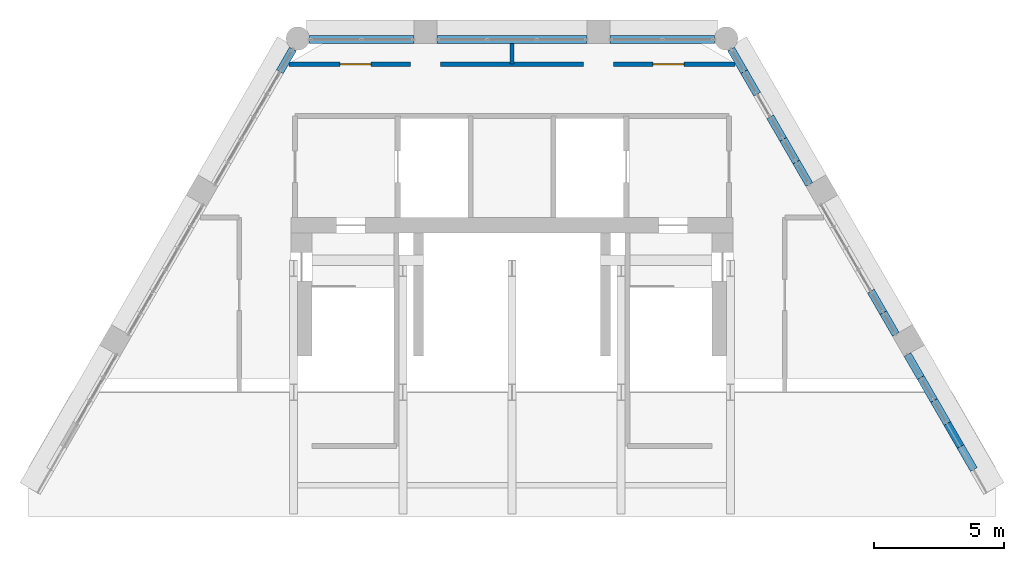
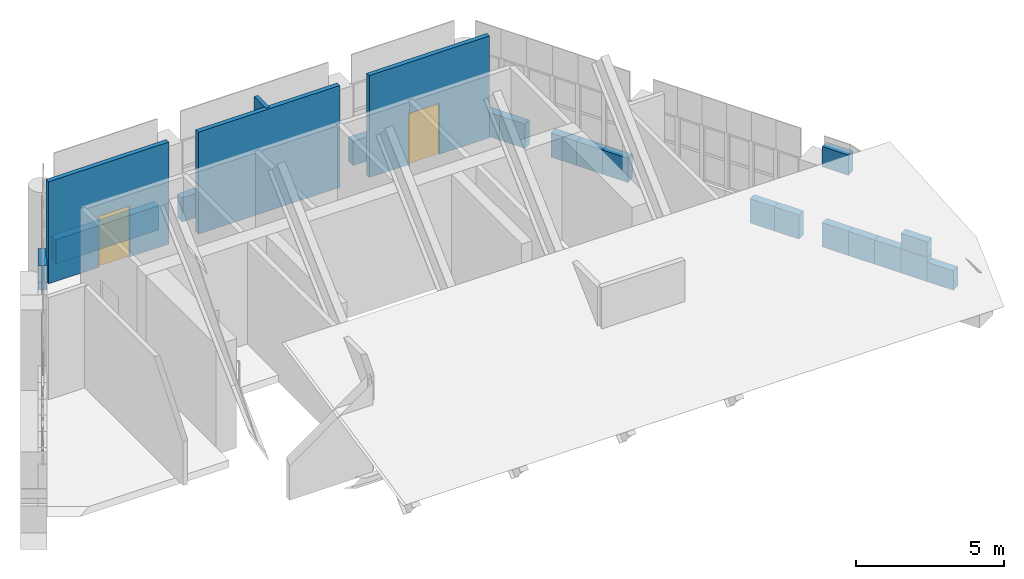
# One storey, part 15 of 16: 22 walls, 2 doors, 2 openings.
"""IFC4 building model written with IfcOpenShell, lengths in metres."""

from ifc_helpers import new_model, si_unit, direction, frame, frame_2d, origin, place, context, subcontext, project, spatial, rectangle, extrude, material, layer, layer_set, type_object, element, fill, save


model = new_model("IFC4")

# Units and contexts
model_context = context("Model", 3, precision=1e-05, world=origin(), true_north=direction((0.0, 1.0)))
body_context = subcontext(model_context, "Body", "Model", "MODEL_VIEW")
ifc_project = project(units=[si_unit("LENGTHUNIT", "METRE"), si_unit("AREAUNIT", "SQUARE_METRE"), si_unit("VOLUMEUNIT", "CUBIC_METRE"), si_unit("PLANEANGLEUNIT", "RADIAN"), si_unit("MASSUNIT", "GRAM", prefix="KILO")], contexts=[model_context])

# Site, building, storey
site_placement = place(None, origin())
site = spatial("IfcSite", under=ifc_project, at=site_placement, CompositionType="ELEMENT")
building_placement = place(site_placement, origin())
building = spatial("IfcBuilding", under=site, at=building_placement, Name="Ostrander Bayou Hotel Tower", CompositionType="ELEMENT")
storey_placement = place(building_placement, frame((0.0, 0.0, 288.5)))
storey = spatial("IfcBuildingStorey", under=building, at=storey_placement, Name="L71", CompositionType="ELEMENT", Elevation=288.5)

# Walls
ifc_material_1 = material(Name="Reconstituted stone on masonry backing", Category="masonry")
ifc_layer_1 = layer(ifc_material_1, 0.300048828125)
ifc_layer_set_1 = layer_set([ifc_layer_1], Name="NW1 north stone wall 300 mm")
wall_type_1 = type_object("IfcWallType", Name="NW1 north stone wall 300 mm", PredefinedType="SOLIDWALL", material=ifc_layer_set_1)
wall_1_placement = place(storey_placement, frame((7.7958984375, 16.550048828125, 0.0), z_axis=(0.0, 0.0, 1.0), x_axis=(-1.0, 0.0, 0.0)))
element("IfcWall", 1, at=wall_1_placement, inside=storey, type_object=wall_type_1, Name="NW1 L71 N-1 sill", PredefinedType="SOLIDWALL", context=body_context, shape_type="SweptSolid", body=[
    extrude(rectangle(XDim=4.0166015625, YDim=0.300048828125, at=frame_2d((2.00830078125, 0.0))), origin(), (0.0, 0.0, 1.0), 1.0),
])
wall_2_placement = place(storey_placement, frame((2.87939453125, 16.550048828125, 0.0), z_axis=(0.0, 0.0, 1.0), x_axis=(-1.0, 0.0, 0.0)))
element("IfcWall", 2, at=wall_2_placement, inside=storey, type_object=wall_type_1, Name="NW1 L71 N-2 sill", PredefinedType="SOLIDWALL", context=body_context, shape_type="SweptSolid", body=[
    extrude(rectangle(XDim=5.7587890625, YDim=0.300048828125, at=frame_2d((2.87939453125, 0.0))), origin(), (0.0, 0.0, 1.0), 1.0),
])
wall_3_placement = place(storey_placement, frame((-3.779296875, 16.550048828125, 0.0), z_axis=(0.0, 0.0, 1.0), x_axis=(-1.0, 0.0, 0.0)))
element("IfcWall", 3, at=wall_3_placement, inside=storey, type_object=wall_type_1, Name="NW1 L71 N-3 sill", PredefinedType="SOLIDWALL", context=body_context, shape_type="SweptSolid", body=[
    extrude(rectangle(XDim=4.0166015625, YDim=0.300048828125, at=frame_2d((2.00830078125, 0.0))), origin(), (0.0, 0.0, 1.0), 1.0),
])
wall_4_placement = place(storey_placement, frame((-8.431884765625, 16.182373046875, 0.0), z_axis=(0.0, 0.0, 1.0), x_axis=(-0.500143783026, -0.865942374699, 0.0)))
element("IfcWall", 4, at=wall_4_placement, inside=storey, type_object=wall_type_1, Name="NW1 L71 NW-1-1 sill", PredefinedType="SOLIDWALL", context=body_context, shape_type="SweptSolid", body=[
    extrude(rectangle(XDim=1.003173828125, YDim=0.300048828125, at=frame_2d((0.50146484375, 0.0))), origin(), (0.0, 0.0, 1.0), 1.0),
])
wall_5_placement = place(storey_placement, frame((17.77490234375, 0.000244140625, 0.0), z_axis=(0.0, 0.0, 1.0), x_axis=(-0.500122329842, 0.865954765097, 0.0)))
element("IfcWall", 5, at=wall_5_placement, inside=storey, type_object=wall_type_1, Name="NW1 L71 NE-1-2 sill", PredefinedType="SOLIDWALL", context=body_context, shape_type="SweptSolid", body=[
    extrude(rectangle(XDim=1.021728515625, YDim=0.300048828125, at=frame_2d((0.5107421875, 0.0))), origin(), (0.0, 0.0, 1.0), 0.8056640625),
])
wall_6_placement = place(storey_placement, frame((17.263916015625, 0.885009765625, 0.0), z_axis=(0.0, 0.0, 1.0), x_axis=(-0.500046605208, 0.865998494583, 0.0)))
element("IfcWall", 6, at=wall_6_placement, inside=storey, type_object=wall_type_1, Name="NW1 L71 NE-1-3 sill", PredefinedType="SOLIDWALL", context=body_context, shape_type="SweptSolid", body=[
    extrude(rectangle(XDim=1.021484375, YDim=0.300048828125, at=frame_2d((0.5107421875, 0.0))), origin(), (0.0, 0.0, 1.0), 1.0),
])
wall_7_placement = place(storey_placement, frame((17.263916015625, 0.885009765625, 1.0), z_axis=(0.0, 0.0, 1.0), x_axis=(-0.500046605208, 0.865998494583, 0.0)))
element("IfcWall", 7, at=wall_7_placement, inside=storey, type_object=wall_type_1, Name="NW1 L71 NE-1-3 infill", PredefinedType="SOLIDWALL", context=body_context, shape_type="SweptSolid", body=[
    extrude(rectangle(XDim=1.021484375, YDim=0.300048828125, at=frame_2d((0.5107421875, 0.0))), origin(), (0.0, 0.0, 1.0), 0.638916015625),
])
for number, where, z_axis, x_axis, name in (
    (8, (16.753173828125, 1.76953125, 0.0), (0.0, 0.0, 1.0), (-0.499943114462, 0.866058244174, 0.0), "NW1 L71 NE-1-4 sill"),
    (9, (16.242431640625, 2.654296875, 0.0), (0.0, 0.0, 1.0), (-0.499943114462, 0.866058244174, 0.0), "NW1 L71 NE-1-5 sill"),
    (10, (15.731689453125, 3.5390625, 0.0), (0.0, 0.0, 1.0), (-0.500046605208, 0.865998494583, 0.0), "NW1 L71 NE-1-6 sill"),
):
    element("IfcWall", number, at=place(storey_placement, frame(where, z_axis=z_axis, x_axis=x_axis)), inside=storey, type_object=wall_type_1, Name=name, PredefinedType="SOLIDWALL", context=body_context, shape_type="SweptSolid", body=[
        extrude(rectangle(XDim=1.021484375, YDim=0.300048828125, at=frame_2d((0.5107421875, 0.0))), origin(), (0.0, 0.0, 1.0), 1.0),
    ])
wall_8_placement = place(storey_placement, frame((15.731689453125, 3.5390625, 3.300048828125), z_axis=(0.0, 0.0, 1.0), x_axis=(-0.500046605208, 0.865998494583, 0.0)))
element("IfcWall", 11, at=wall_8_placement, inside=storey, type_object=wall_type_1, Name="NW1 L71 NE-1-6 ring", PredefinedType="SOLIDWALL", context=body_context, shape_type="SweptSolid", body=[
    extrude(rectangle(XDim=1.021484375, YDim=0.300048828125, at=frame_2d((0.5107421875, 0.0))), origin(), (0.0, 0.0, 1.0), 0.838623046875),
])
wall_9_placement = place(storey_placement, frame((14.77099609375, 5.203125, 0.0), z_axis=(0.0, 0.0, 1.0), x_axis=(-0.500133489192, 0.865948320045, 0.0)))
element("IfcWall", 12, at=wall_9_placement, inside=storey, type_object=wall_type_1, Name="NW1 L71 NE-2-1 sill", PredefinedType="SOLIDWALL", context=body_context, shape_type="SweptSolid", body=[
    extrude(rectangle(XDim=0.959716796875, YDim=0.300048828125, at=frame_2d((0.47998046875, 0.0))), origin(), (0.0, 0.0, 1.0), 1.0),
])
wall_10_placement = place(storey_placement, frame((14.291015625, 6.0341796875, 0.0), z_axis=(0.0, 0.0, 1.0), x_axis=(-0.500023335103, 0.866011930837, 0.0)))
element("IfcWall", 13, at=wall_10_placement, inside=storey, type_object=wall_type_1, Name="NW1 L71 NE-2-2 sill", PredefinedType="SOLIDWALL", context=body_context, shape_type="SweptSolid", body=[
    extrude(rectangle(XDim=0.9599609375, YDim=0.300048828125, at=frame_2d((0.47998046875, 0.0))), origin(), (0.0, 0.0, 1.0), 1.0),
])
for number, where, z_axis, x_axis, name in (
    (14, (11.44140625, 10.9697265625, 0.0), (0.0, 0.0, 1.0), (-0.499855875421, 0.866108598161, 0.0), "NW1 L71 NE-3-1 sill"),
    (15, (10.93994140625, 11.838623046875, 0.0), (0.0, 0.0, 1.0), (-0.500143783026, 0.865942374699, 0.0), "NW1 L71 NE-3-2 sill"),
    (16, (10.438232421875, 12.707275390625, 0.0), (0.0, 0.0, 1.0), (-0.499855875421, 0.866108598161, 0.0), "NW1 L71 NE-3-3 sill"),
):
    element("IfcWall", number, at=place(storey_placement, frame(where, z_axis=z_axis, x_axis=x_axis)), inside=storey, type_object=wall_type_1, Name=name, PredefinedType="SOLIDWALL", context=body_context, shape_type="SweptSolid", body=[
        extrude(rectangle(XDim=1.003173828125, YDim=0.300048828125, at=frame_2d((0.50146484375, 0.0))), origin(), (0.0, 0.0, 1.0), 1.0),
    ])
wall_11_placement = place(storey_placement, frame((9.435302734375, 14.44482421875, 0.0), z_axis=(0.0, 0.0, 1.0), x_axis=(-0.500038395149, 0.8660032352, 0.0)))
element("IfcWall", 17, at=wall_11_placement, inside=storey, type_object=wall_type_1, Name="NW1 L71 NE-3-5 sill", PredefinedType="SOLIDWALL", context=body_context, shape_type="SweptSolid", body=[
    extrude(rectangle(XDim=1.00341796875, YDim=0.300048828125, at=frame_2d((0.501708984375, 0.0))), origin(), (0.0, 0.0, 1.0), 1.0),
])
wall_12_placement = place(storey_placement, frame((8.93359375, 15.313720703125, 0.0), z_axis=(0.0, 0.0, 1.0), x_axis=(-0.500143783026, 0.865942374699, 0.0)))
element("IfcWall", 18, at=wall_12_placement, inside=storey, type_object=wall_type_1, Name="NW1 L71 NE-3-6 sill", PredefinedType="SOLIDWALL", context=body_context, shape_type="SweptSolid", body=[
    extrude(rectangle(XDim=1.003173828125, YDim=0.300048828125, at=frame_2d((0.50146484375, 0.0))), origin(), (0.0, 0.0, 1.0), 1.0),
])

# Wall, opening, door
ifc_material_2 = material(Name="Gypsum board partition", Category="finish")
ifc_layer_2 = layer(ifc_material_2, 0.175048828125)
ifc_layer_set_2 = layer_set([ifc_layer_2], Name="PT4 corridor wall 175 mm, 1 hour")
wall_type_2 = type_object("IfcWallType", Name="PT4 corridor wall 175 mm, 1 hour", PredefinedType="PARTITIONING", material=ifc_layer_set_2)
wall_13_placement = place(storey_placement, frame((-8.590087890625, 15.60009765625, 0.0), z_axis=(0.0, 0.0, 1.0), x_axis=(1.0, 0.0, 0.0)))
wall_13 = element("IfcWall", 19, at=wall_13_placement, inside=storey, type_object=wall_type_2, Name="sw:L71:003", PredefinedType="PARTITIONING", context=body_context, shape_type="SweptSolid", body=[
    extrude(rectangle(XDim=4.68701171875, YDim=0.175048828125, at=frame_2d((2.343505859375, 0.0))), origin(), (0.0, 0.0, 1.0), 4.199951171875),
])
opening_1_placement = place(wall_13_placement, frame((1.9638671875, 0.0, 0.0)))
opening_1 = element("IfcOpeningElement", 20, at=opening_1_placement, cuts=wall_13, Name="Opening T71-202", PredefinedType="OPENING", context=body_context, shape_type="SweptSolid", body=[
    extrude(rectangle(XDim=1.199951171875, YDim=2.10009765625, at=frame_2d((0.60009765625, 1.050048828125))), frame((0.0, 0.08740234375, 0.0), z_axis=(0.0, -1.0, 0.0), x_axis=(1.0, 0.0, 0.0)), (0.0, 0.0, 1.0), 0.175048828125),
])
ifc_material_3 = material(Name="Timber door leaf", Category="wood")
door_type = type_object("IfcDoorType", Name="D10 plant room door 1200 x 2100 mm, 1 hour", OperationType="SINGLE_SWING_LEFT", PredefinedType="DOOR", material=ifc_material_3)
door_1_placement = place(opening_1_placement, origin())
door_1 = element("IfcDoor", 21, at=door_1_placement, inside=storey, type_object=door_type, Name="dr:L71:202", OperationType="SINGLE_SWING_RIGHT", OverallHeight=2.10009765625, OverallWidth=1.199951171875, PredefinedType="DOOR", context=body_context, shape_type="SweptSolid", body=[
    extrude(rectangle(XDim=1.199951171875, YDim=2.10009765625, at=frame_2d((0.60009765625, 1.050048828125))), frame((0.0, 0.02490234375, 0.0), z_axis=(0.0, -1.0, 0.0), x_axis=(1.0, 0.0, 0.0)), (0.0, 0.0, 1.0), 0.050048828125),
])
fill(opening_1, door_1)

# Wall
wall_14_placement = place(storey_placement, frame((-2.755859375, 15.60009765625, 0.0), z_axis=(0.0, 0.0, 1.0), x_axis=(1.0, 0.0, 0.0)))
element("IfcWall", 22, at=wall_14_placement, inside=storey, type_object=wall_type_2, Name="sw:L71:004", PredefinedType="PARTITIONING", context=body_context, shape_type="SweptSolid", body=[
    extrude(rectangle(XDim=5.51171875, YDim=0.175048828125, at=frame_2d((2.755859375, 0.0))), origin(), (0.0, 0.0, 1.0), 4.199951171875),
])

# Wall, opening, door
wall_15_placement = place(storey_placement, frame((3.903076171875, 15.60009765625, 0.0), z_axis=(0.0, 0.0, 1.0), x_axis=(1.0, 0.0, 0.0)))
wall_15 = element("IfcWall", 23, at=wall_15_placement, inside=storey, type_object=wall_type_2, Name="sw:L71:005", PredefinedType="PARTITIONING", context=body_context, shape_type="SweptSolid", body=[
    extrude(rectangle(XDim=4.68701171875, YDim=0.175048828125, at=frame_2d((2.343505859375, 0.0))), origin(), (0.0, 0.0, 1.0), 4.199951171875),
])
opening_2_placement = place(wall_15_placement, frame((1.523193359375, 0.0, 0.0)))
opening_2 = element("IfcOpeningElement", 24, at=opening_2_placement, cuts=wall_15, Name="Opening T71-203", PredefinedType="OPENING", context=body_context, shape_type="SweptSolid", body=[
    extrude(rectangle(XDim=1.199951171875, YDim=2.10009765625, at=frame_2d((0.60009765625, 1.050048828125))), frame((0.0, 0.08740234375, 0.0), z_axis=(0.0, -1.0, 0.0), x_axis=(1.0, 0.0, 0.0)), (0.0, 0.0, 1.0), 0.175048828125),
])
door_2_placement = place(opening_2_placement, origin())
door_2 = element("IfcDoor", 25, at=door_2_placement, inside=storey, type_object=door_type, Name="dr:L71:203", OperationType="SINGLE_SWING_LEFT", OverallHeight=2.10009765625, OverallWidth=1.199951171875, PredefinedType="DOOR", context=body_context, shape_type="SweptSolid", body=[
    extrude(rectangle(XDim=1.199951171875, YDim=2.10009765625, at=frame_2d((0.60009765625, 1.050048828125))), frame((0.0, 0.02490234375, 0.0), z_axis=(0.0, -1.0, 0.0), x_axis=(1.0, 0.0, 0.0)), (0.0, 0.0, 1.0), 0.050048828125),
])
fill(opening_2, door_2)

# Wall
ifc_material_4 = material(Name="Gypsum board partition", Category="finish")
ifc_layer_3 = layer(ifc_material_4, 0.14990234375)
ifc_layer_set_3 = layer_set([ifc_layer_3], Name="PT7 riser wall 150 mm, 2 hour")
wall_type_3 = type_object("IfcWallType", Name="PT7 riser wall 150 mm, 2 hour", PredefinedType="PARTITIONING", material=ifc_layer_set_3)
wall_16_placement = place(storey_placement, frame((0.0, 15.60009765625, 0.0), z_axis=(0.0, 0.0, 1.0), x_axis=(0.0, 1.0, 0.0)))
element("IfcWall", 26, at=wall_16_placement, inside=storey, type_object=wall_type_3, Name="sw:L71:008", PredefinedType="PARTITIONING", context=body_context, shape_type="SweptSolid", body=[
    extrude(rectangle(XDim=0.794921875, YDim=0.14990234375, at=frame_2d((0.3974609375, 0.0))), origin(), (0.0, 0.0, 1.0), 4.199951171875),
])

save(model, "model.ifc")
